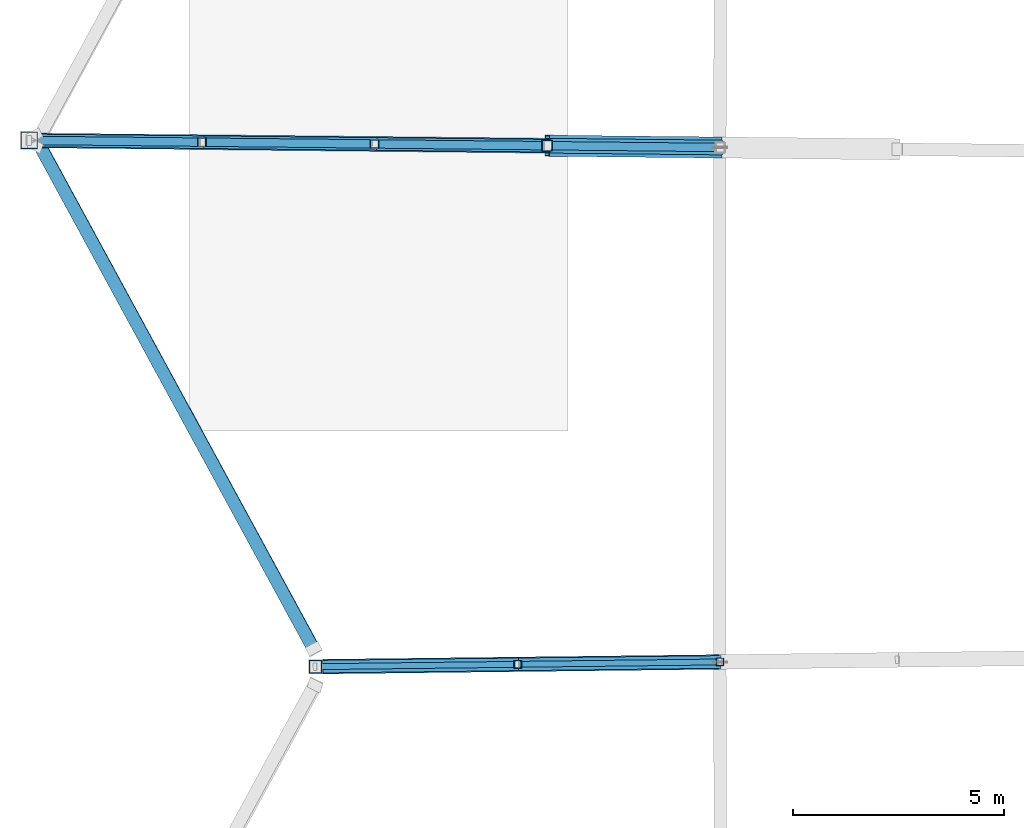
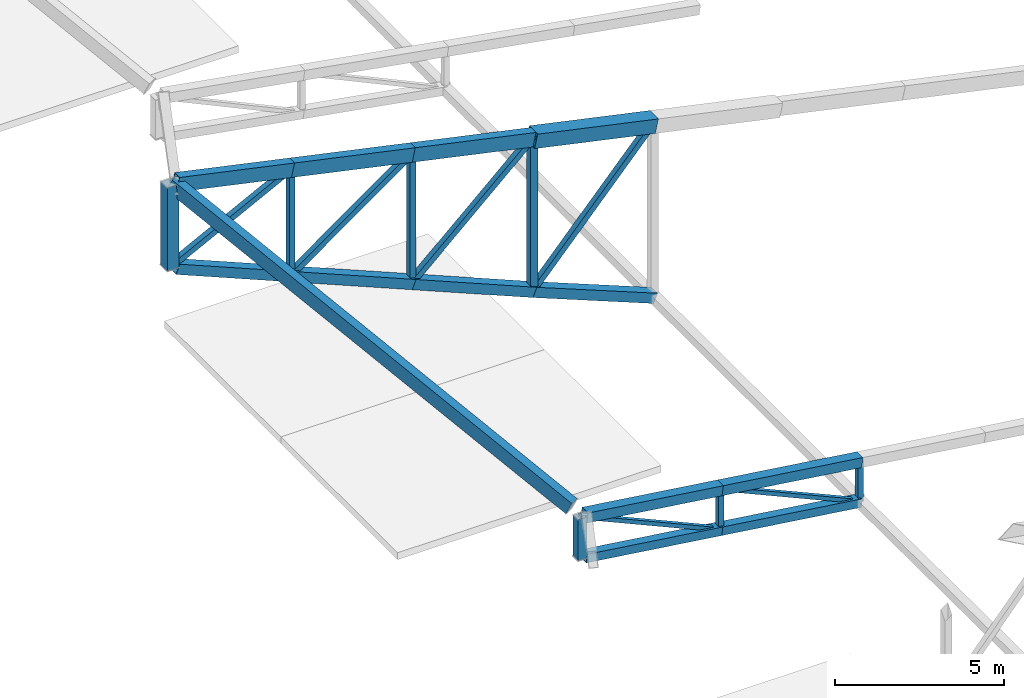
# One storey, part 36 of 188: 25 members, 1 beam.
"""IFC4 building model written with IfcOpenShell, lengths in metres."""

from ifc_helpers import new_model, si_unit, direction, frame, origin, origin_2d, place, context, subcontext, project, spatial, hollow_rectangle, extrude, material, material_profile, profile_set, type_object, element, save


model = new_model("IFC4")

# Units and contexts
model_context = context("Model", 3, precision=1e-05, world=origin(), true_north=direction((0.0, 1.0)))
body_context = subcontext(model_context, "Body", "Model", "MODEL_VIEW")
ifc_project = project(units=[si_unit("LENGTHUNIT", "METRE"), si_unit("AREAUNIT", "SQUARE_METRE"), si_unit("VOLUMEUNIT", "CUBIC_METRE"), si_unit("PLANEANGLEUNIT", "RADIAN"), si_unit("MASSUNIT", "GRAM", prefix="KILO")], contexts=[model_context])

# Site, building, storey
site_placement = place(None, origin())
site = spatial("IfcSite", under=ifc_project, at=site_placement, CompositionType="ELEMENT")
building_placement = place(site_placement, origin())
building = spatial("IfcBuilding", under=site, at=building_placement, Name="Meseta Stadium", CompositionType="ELEMENT")
storey_placement = place(building_placement, frame((0.0, 0.0, 30.0)))
storey = spatial("IfcBuildingStorey", under=building, at=storey_placement, Name="ROOF", CompositionType="ELEMENT", Elevation=30.0)

# Beam
ifc_material_1 = material(Name="Steel S355", Category="steel")
ifc_material_profile_1 = material_profile(ifc_material_1, hollow_rectangle(XDim=0.300048828125, YDim=0.5, WallThickness=0.01611328125, at=origin_2d()), Name="RHS 500x300x16")
ifc_profile_set_1 = profile_set([ifc_material_profile_1], Name="Steel S355")
beam_type = type_object("IfcBeamType", Name="RHS 500x300x16 rim ring beam", PredefinedType="BEAM", material=ifc_profile_set_1)
beam_placement = place(storey_placement, frame((-101.27001953125, 6.3525390625, 10.407958984375), z_axis=(0.431156015659, -0.792587708083, -0.431171909053), x_axis=(0.883116799574, 0.468656035294, 0.021592565696)))
element("IfcBeam", 1, at=beam_placement, inside=storey, type_object=beam_type, Name="RIM RING BEAM 33", PredefinedType="BEAM", context=body_context, shape_type="SweptSolid", body=[
    extrude(hollow_rectangle(XDim=0.300048828125, YDim=0.5, WallThickness=0.01611328125, at=origin_2d()), origin(), (0.0, 0.0, 1.0), 15.361083984375),
])

# Members
ifc_material_2 = material(Name="Steel S355", Category="steel")
ifc_material_profile_2 = material_profile(ifc_material_2, hollow_rectangle(XDim=0.300048828125, YDim=0.5, WallThickness=0.01611328125, at=origin_2d()), Name="RHS 500x300x16")
ifc_profile_set_2 = profile_set([ifc_material_profile_2], Name="Steel S355")
member_type_1 = type_object("IfcMemberType", Name="RHS 500x300x16 top chord", PredefinedType="CHORD", material=ifc_profile_set_2)
for number, where, z_axis, x_axis, name in (
    (2, (-89.09814453125, 6.12353515625, 7.923828125), (-0.97869929767, 0.01008067269, 0.205051371071), (-0.010299525114, -0.999946958485, 0.0), "ROOF TRUSS RT-32 top chord"),
    (3, (-93.19873046875, 6.165771484375, 8.782958984375), (-0.978699870896, 0.010022408776, 0.205051491169), (-0.010239996548, -0.999947569861, 0.0), "ROOF TRUSS RT-32 top chord"),
):
    element("IfcMember", number, at=place(storey_placement, frame(where, z_axis=z_axis, x_axis=x_axis)), inside=storey, type_object=member_type_1, Name=name, PredefinedType="CHORD", context=body_context, shape_type="SweptSolid", body=[
        extrude(hollow_rectangle(XDim=0.300048828125, YDim=0.5, WallThickness=0.01611328125, at=origin_2d()), origin(), (0.0, 0.0, 1.0), 4.18994140625),
    ])
member_1_placement = place(storey_placement, frame((-97.29931640625, 6.207763671875, 9.64208984375), z_axis=(-0.97870134622, 0.010096012637, 0.205040838461), x_axis=(-0.010315174838, -0.999946797169, 0.0)))
element("IfcMember", 4, at=member_1_placement, inside=storey, type_object=member_type_1, Name="ROOF TRUSS RT-32 top chord", PredefinedType="CHORD", context=body_context, shape_type="SweptSolid", body=[
    extrude(hollow_rectangle(XDim=0.300048828125, YDim=0.5, WallThickness=0.01611328125, at=origin_2d()), origin(), (0.0, 0.0, 1.0), 3.989990234375),
])
ifc_material_3 = material(Name="Steel S355", Category="steel")
ifc_material_profile_3 = material_profile(ifc_material_3, hollow_rectangle(XDim=0.139892578125, YDim=0.139892578125, WallThickness=0.0048828125, at=origin_2d()), Name="SHS 140x140x5")
ifc_profile_set_3 = profile_set([ifc_material_profile_3], Name="Steel S355")
member_type_2 = type_object("IfcMemberType", Name="SHS 140x140x5 diagonal", PredefinedType="BRACE", material=ifc_profile_set_3)
for number, where, z_axis, x_axis, name in (
    (5, (-84.9970703125, -6.13720703125, 0.800048828125), (-0.910898756828, -0.010699019313, 0.412491194809), (0.01174475352, -0.999931028004, 0.0), "ROOF TRUSS RT-33 diagonal"),
    (6, (-89.798583984375, -6.193603515625, 1.4970703125), (-0.910898756828, -0.010699019313, 0.412491194809), (0.01174475352, -0.999931028004, 0.0), "ROOF TRUSS RT-33 diagonal"),
):
    element("IfcMember", number, at=place(storey_placement, frame(where, z_axis=z_axis, x_axis=x_axis)), inside=storey, type_object=member_type_2, Name=name, PredefinedType="BRACE", context=body_context, shape_type="SweptSolid", body=[
        extrude(hollow_rectangle(XDim=0.139892578125, YDim=0.139892578125, WallThickness=0.0048828125, at=origin_2d()), origin(), (0.0, 0.0, 1.0), 5.271240234375),
    ])
ifc_material_4 = material(Name="Steel S355", Category="steel")
ifc_material_profile_4 = material_profile(ifc_material_4, hollow_rectangle(XDim=0.179931640625, YDim=0.179931640625, WallThickness=0.00634765625, at=origin_2d()), Name="SHS 180x180x6.3")
ifc_profile_set_4 = profile_set([ifc_material_profile_4], Name="Steel S355")
member_type_3 = type_object("IfcMemberType", Name="SHS 180x180x6.3 post", PredefinedType="POST", material=ifc_profile_set_4)
for number, where, z_axis, x_axis, name in (
    (7, (-84.9970703125, -6.13720703125, 0.800048828125), (0.0, 0.0, 1.0), (1.0, 0.0, 0.0), "ROOF TRUSS RT-33 post"),
    (8, (-89.798583984375, -6.193603515625, 1.4970703125), (0.0, 0.0, 1.0), (1.0, 0.0, 0.0), "ROOF TRUSS RT-33 post"),
):
    element("IfcMember", number, at=place(storey_placement, frame(where, z_axis=z_axis, x_axis=x_axis)), inside=storey, type_object=member_type_3, Name=name, PredefinedType="POST", context=body_context, shape_type="SweptSolid", body=[
        extrude(hollow_rectangle(XDim=0.179931640625, YDim=0.179931640625, WallThickness=0.00634765625, at=origin_2d()), origin(), (0.0, 0.0, 1.0), 1.477294921875),
    ])
ifc_material_5 = material(Name="Steel S355", Category="steel")
ifc_material_profile_5 = material_profile(ifc_material_5, hollow_rectangle(XDim=0.199951171875, YDim=0.199951171875, WallThickness=0.008056640625, at=origin_2d()), Name="SHS 200x200x8")
ifc_profile_set_5 = profile_set([ifc_material_profile_5], Name="Steel S355")
member_type_4 = type_object("IfcMemberType", Name="SHS 200x200x8 diagonal", PredefinedType="BRACE", material=ifc_profile_set_5)
member_2_placement = place(storey_placement, frame((-84.99755859375, 6.081298828125, 7.06494140625), z_axis=(-0.662104151596, 0.006819720066, -0.7493808003), x_axis=(-0.010299525114, -0.999946958485, 0.0)))
element("IfcMember", 9, at=member_2_placement, inside=storey, type_object=member_type_4, Name="ROOF TRUSS RT-32 diagonal", PredefinedType="BRACE", context=body_context, shape_type="SweptSolid", body=[
    extrude(hollow_rectangle(XDim=0.199951171875, YDim=0.199951171875, WallThickness=0.008056640625, at=origin_2d()), origin(), (0.0, 0.0, 1.0), 6.193359375),
])
member_3_placement = place(storey_placement, frame((-89.09814453125, 6.12353515625, 7.923828125), z_axis=(-0.732778834154, 0.007547674346, -0.680425023664), x_axis=(-0.010299525114, -0.999946958485, 0.0)))
element("IfcMember", 10, at=member_3_placement, inside=storey, type_object=member_type_4, Name="ROOF TRUSS RT-32 diagonal", PredefinedType="BRACE", context=body_context, shape_type="SweptSolid", body=[
    extrude(hollow_rectangle(XDim=0.199951171875, YDim=0.199951171875, WallThickness=0.008056640625, at=origin_2d()), origin(), (0.0, 0.0, 1.0), 5.595947265625),
])
member_4_placement = place(storey_placement, frame((-93.19873046875, 6.165771484375, 8.782958984375), z_axis=(-0.809470389338, 0.008289408607, -0.587102184027), x_axis=(-0.010239996548, -0.999947569861, 0.0)))
element("IfcMember", 11, at=member_4_placement, inside=storey, type_object=member_type_4, Name="ROOF TRUSS RT-32 diagonal", PredefinedType="BRACE", context=body_context, shape_type="SweptSolid", body=[
    extrude(hollow_rectangle(XDim=0.199951171875, YDim=0.199951171875, WallThickness=0.008056640625, at=origin_2d()), origin(), (0.0, 0.0, 1.0), 5.065673828125),
])
member_5_placement = place(storey_placement, frame((-97.29931640625, 6.207763671875, 9.64208984375), z_axis=(-0.886420820762, 0.009130197785, -0.462790198694), x_axis=(-0.010299525114, -0.999946958485, 0.0)))
element("IfcMember", 12, at=member_5_placement, inside=storey, type_object=member_type_4, Name="ROOF TRUSS RT-32 diagonal", PredefinedType="BRACE", context=body_context, shape_type="SweptSolid", body=[
    extrude(hollow_rectangle(XDim=0.199951171875, YDim=0.199951171875, WallThickness=0.008056640625, at=origin_2d()), origin(), (0.0, 0.0, 1.0), 4.6259765625),
])
ifc_material_6 = material(Name="Steel S355", Category="steel")
ifc_material_profile_6 = material_profile(ifc_material_6, hollow_rectangle(XDim=0.199951171875, YDim=0.199951171875, WallThickness=0.008056640625, at=origin_2d()), Name="SHS 200x200x8")
ifc_profile_set_6 = profile_set([ifc_material_profile_6], Name="Steel S355")
member_type_5 = type_object("IfcMemberType", Name="SHS 200x200x8 post", PredefinedType="POST", material=ifc_profile_set_6)
member_6_placement = place(storey_placement, frame((-93.19873046875, 6.165771484375, 4.1162109375), z_axis=(0.0, 0.0, 1.0), x_axis=(1.0, 0.0, 0.0)))
element("IfcMember", 13, at=member_6_placement, inside=storey, type_object=member_type_5, Name="ROOF TRUSS RT-32 post", PredefinedType="POST", context=body_context, shape_type="SweptSolid", body=[
    extrude(hollow_rectangle(XDim=0.199951171875, YDim=0.199951171875, WallThickness=0.008056640625, at=origin_2d()), origin(), (0.0, 0.0, 1.0), 4.666748046875),
])
member_7_placement = place(storey_placement, frame((-97.29931640625, 6.207763671875, 5.808837890625), z_axis=(0.0, 0.0, 1.0), x_axis=(1.0, 0.0, 0.0)))
element("IfcMember", 14, at=member_7_placement, inside=storey, type_object=member_type_5, Name="ROOF TRUSS RT-32 post", PredefinedType="POST", context=body_context, shape_type="SweptSolid", body=[
    extrude(hollow_rectangle(XDim=0.199951171875, YDim=0.199951171875, WallThickness=0.008056640625, at=origin_2d()), origin(), (0.0, 0.0, 1.0), 3.833251953125),
])
ifc_material_7 = material(Name="Steel S355", Category="steel")
ifc_material_profile_7 = material_profile(ifc_material_7, hollow_rectangle(XDim=0.25, YDim=0.25, WallThickness=0.010009765625, at=origin_2d()), Name="SHS 250x250x10")
ifc_profile_set_7 = profile_set([ifc_material_profile_7], Name="Steel S355")
member_type_6 = type_object("IfcMemberType", Name="SHS 250x250x10 post", PredefinedType="POST", material=ifc_profile_set_7)
member_8_placement = place(storey_placement, frame((-89.09814453125, 6.12353515625, 2.423828125), z_axis=(0.0, 0.0, 1.0), x_axis=(1.0, 0.0, 0.0)))
element("IfcMember", 15, at=member_8_placement, inside=storey, type_object=member_type_6, Name="ROOF TRUSS RT-32 post", PredefinedType="POST", context=body_context, shape_type="SweptSolid", body=[
    extrude(hollow_rectangle(XDim=0.25, YDim=0.25, WallThickness=0.010009765625, at=origin_2d()), origin(), (0.0, 0.0, 1.0), 5.5),
])
ifc_material_8 = material(Name="Steel S355", Category="steel")
ifc_material_profile_8 = material_profile(ifc_material_8, hollow_rectangle(XDim=0.300048828125, YDim=0.300048828125, WallThickness=0.010009765625, at=origin_2d()), Name="SHS 300x300x10")
ifc_profile_set_8 = profile_set([ifc_material_profile_8], Name="Steel S355")
member_type_7 = type_object("IfcMemberType", Name="SHS 300x300x10 bottom chord", PredefinedType="CHORD", material=ifc_profile_set_8)
member_9_placement = place(storey_placement, frame((-84.9970703125, -6.13720703125, 0.800048828125), z_axis=(-0.989560081082, -0.011622940903, 0.143651499033), x_axis=(0.01174475352, -0.999931028004, 0.0)))
element("IfcMember", 16, at=member_9_placement, inside=storey, type_object=member_type_7, Name="ROOF TRUSS RT-33 bottom chord", PredefinedType="CHORD", context=body_context, shape_type="SweptSolid", body=[
    extrude(hollow_rectangle(XDim=0.300048828125, YDim=0.300048828125, WallThickness=0.010009765625, at=origin_2d()), origin(), (0.0, 0.0, 1.0), 4.85205078125),
])
member_10_placement = place(storey_placement, frame((-89.798583984375, -6.193603515625, 1.4970703125), z_axis=(-0.989565446191, -0.011630340519, 0.143613936941), x_axis=(0.011752165946, -0.999930940913, 0.0)))
element("IfcMember", 17, at=member_10_placement, inside=storey, type_object=member_type_7, Name="ROOF TRUSS RT-33 bottom chord", PredefinedType="CHORD", context=body_context, shape_type="SweptSolid", body=[
    extrude(hollow_rectangle(XDim=0.300048828125, YDim=0.300048828125, WallThickness=0.010009765625, at=origin_2d()), origin(), (0.0, 0.0, 1.0), 4.7021484375),
])
ifc_material_9 = material(Name="Steel S355", Category="steel")
ifc_material_profile_9 = material_profile(ifc_material_9, hollow_rectangle(XDim=0.300048828125, YDim=0.300048828125, WallThickness=0.010009765625, at=origin_2d()), Name="SHS 300x300x10")
ifc_profile_set_9 = profile_set([ifc_material_profile_9], Name="Steel S355")
member_type_8 = type_object("IfcMemberType", Name="SHS 300x300x10 rim post", PredefinedType="POST", material=ifc_profile_set_9)
member_11_placement = place(storey_placement, frame((-94.60009765625, -6.25, 2.19384765625), z_axis=(0.0, 0.0, 1.0), x_axis=(1.0, 0.0, 0.0)))
element("IfcMember", 18, at=member_11_placement, inside=storey, type_object=member_type_8, Name="ROOF TRUSS RT-33 post", PredefinedType="POST", context=body_context, shape_type="SweptSolid", body=[
    extrude(hollow_rectangle(XDim=0.300048828125, YDim=0.300048828125, WallThickness=0.010009765625, at=origin_2d()), origin(), (0.0, 0.0, 1.0), 1.4775390625),
])
ifc_material_10 = material(Name="Steel S355", Category="steel")
ifc_material_profile_10 = material_profile(ifc_material_10, hollow_rectangle(XDim=0.35009765625, YDim=0.35009765625, WallThickness=0.010009765625, at=origin_2d()), Name="SHS 350x350x10")
ifc_profile_set_10 = profile_set([ifc_material_profile_10], Name="Steel S355")
member_type_9 = type_object("IfcMemberType", Name="SHS 350x350x10 bottom chord", PredefinedType="CHORD", material=ifc_profile_set_10)
member_12_placement = place(storey_placement, frame((-84.99755859375, 6.081298828125, 0.800048828125), z_axis=(-0.929715035899, 0.009576131294, 0.36815519789), x_axis=(-0.010299525114, -0.999946958485, 0.0)))
element("IfcMember", 19, at=member_12_placement, inside=storey, type_object=member_type_9, Name="ROOF TRUSS RT-32 bottom chord", PredefinedType="CHORD", context=body_context, shape_type="SweptSolid", body=[
    extrude(hollow_rectangle(XDim=0.35009765625, YDim=0.35009765625, WallThickness=0.010009765625, at=origin_2d()), origin(), (0.0, 0.0, 1.0), 4.41064453125),
])
for number, where, z_axis, x_axis, name in (
    (20, (-89.09814453125, 6.12353515625, 2.423828125), (-0.924325878, 0.009520622582, 0.381485293302), (-0.010299525114, -0.999946958485, 0.0), "ROOF TRUSS RT-32 bottom chord"),
    (21, (-93.19873046875, 6.165771484375, 4.1162109375), (-0.924306954696, 0.009465396297, 0.3815325147), (-0.010239996548, -0.999947569861, 0.0), "ROOF TRUSS RT-32 bottom chord"),
):
    element("IfcMember", number, at=place(storey_placement, frame(where, z_axis=z_axis, x_axis=x_axis)), inside=storey, type_object=member_type_9, Name=name, PredefinedType="CHORD", context=body_context, shape_type="SweptSolid", body=[
        extrude(hollow_rectangle(XDim=0.35009765625, YDim=0.35009765625, WallThickness=0.010009765625, at=origin_2d()), origin(), (0.0, 0.0, 1.0), 4.436279296875),
    ])
member_13_placement = place(storey_placement, frame((-97.29931640625, 6.207763671875, 5.808837890625), z_axis=(-0.924337624484, 0.009509053435, 0.381457119301), x_axis=(-0.010286880081, -0.999947088649, 0.0)))
element("IfcMember", 22, at=member_13_placement, inside=storey, type_object=member_type_9, Name="ROOF TRUSS RT-32 bottom chord", PredefinedType="CHORD", context=body_context, shape_type="SweptSolid", body=[
    extrude(hollow_rectangle(XDim=0.35009765625, YDim=0.35009765625, WallThickness=0.010009765625, at=origin_2d()), origin(), (0.0, 0.0, 1.0), 4.236328125),
])
ifc_material_11 = material(Name="Steel S355", Category="steel")
ifc_material_profile_11 = material_profile(ifc_material_11, hollow_rectangle(XDim=0.35009765625, YDim=0.35009765625, WallThickness=0.010009765625, at=origin_2d()), Name="SHS 350x350x10")
ifc_profile_set_11 = profile_set([ifc_material_profile_11], Name="Steel S355")
member_type_10 = type_object("IfcMemberType", Name="SHS 350x350x10 top chord", PredefinedType="CHORD", material=ifc_profile_set_11)
member_14_placement = place(storey_placement, frame((-84.9970703125, -6.13720703125, 2.27734375), z_axis=(-0.989560081082, -0.011622940903, 0.143651499033), x_axis=(0.01174475352, -0.999931028004, 0.0)))
element("IfcMember", 23, at=member_14_placement, inside=storey, type_object=member_type_10, Name="ROOF TRUSS RT-33 top chord", PredefinedType="CHORD", context=body_context, shape_type="SweptSolid", body=[
    extrude(hollow_rectangle(XDim=0.35009765625, YDim=0.35009765625, WallThickness=0.010009765625, at=origin_2d()), origin(), (0.0, 0.0, 1.0), 4.85205078125),
])
member_15_placement = place(storey_placement, frame((-89.798583984375, -6.193603515625, 2.974365234375), z_axis=(-0.989558066144, -0.011630253781, 0.143664786663), x_axis=(0.011752165946, -0.999930940913, 0.0)))
element("IfcMember", 24, at=member_15_placement, inside=storey, type_object=member_type_10, Name="ROOF TRUSS RT-33 top chord", PredefinedType="CHORD", context=body_context, shape_type="SweptSolid", body=[
    extrude(hollow_rectangle(XDim=0.35009765625, YDim=0.35009765625, WallThickness=0.010009765625, at=origin_2d()), origin(), (0.0, 0.0, 1.0), 4.7021484375),
])
ifc_material_12 = material(Name="Steel S355", Category="steel")
ifc_material_profile_12 = material_profile(ifc_material_12, hollow_rectangle(XDim=0.39990234375, YDim=0.39990234375, WallThickness=0.01416015625, at=origin_2d()), Name="SHS 400x400x14.2")
ifc_profile_set_12 = profile_set([ifc_material_profile_12], Name="Steel S355")
member_type_11 = type_object("IfcMemberType", Name="SHS 400x400x14.2 rim post", PredefinedType="POST", material=ifc_profile_set_12)
member_16_placement = place(storey_placement, frame((-101.39990234375, 6.25, 7.501220703125), z_axis=(0.0, 0.0, 1.0), x_axis=(1.0, 0.0, 0.0)))
element("IfcMember", 25, at=member_16_placement, inside=storey, type_object=member_type_11, Name="ROOF TRUSS RT-32 post", PredefinedType="POST", context=body_context, shape_type="SweptSolid", body=[
    extrude(hollow_rectangle(XDim=0.39990234375, YDim=0.39990234375, WallThickness=0.01416015625, at=origin_2d()), origin(), (0.0, 0.0, 1.0), 3.0),
])
ifc_material_13 = material(Name="Steel S355", Category="steel")
ifc_material_profile_13 = material_profile(ifc_material_13, hollow_rectangle(XDim=0.5, YDim=0.5, WallThickness=0.01611328125, at=origin_2d()), Name="SHS 500x500x16")
ifc_profile_set_13 = profile_set([ifc_material_profile_13], Name="Steel S355")
member_type_12 = type_object("IfcMemberType", Name="SHS 500x500x16 top chord", PredefinedType="CHORD", material=ifc_profile_set_13)
member_17_placement = place(storey_placement, frame((-84.99755859375, 6.081298828125, 7.06494140625), z_axis=(-0.97871099001, 0.010080793122, 0.204995550301), x_axis=(-0.010299525114, -0.999946958485, 0.0)))
element("IfcMember", 26, at=member_17_placement, inside=storey, type_object=member_type_12, Name="ROOF TRUSS RT-32 top chord", PredefinedType="CHORD", context=body_context, shape_type="SweptSolid", body=[
    extrude(hollow_rectangle(XDim=0.5, YDim=0.5, WallThickness=0.01611328125, at=origin_2d()), origin(), (0.0, 0.0, 1.0), 4.189697265625),
])

save(model, "model.ifc")
